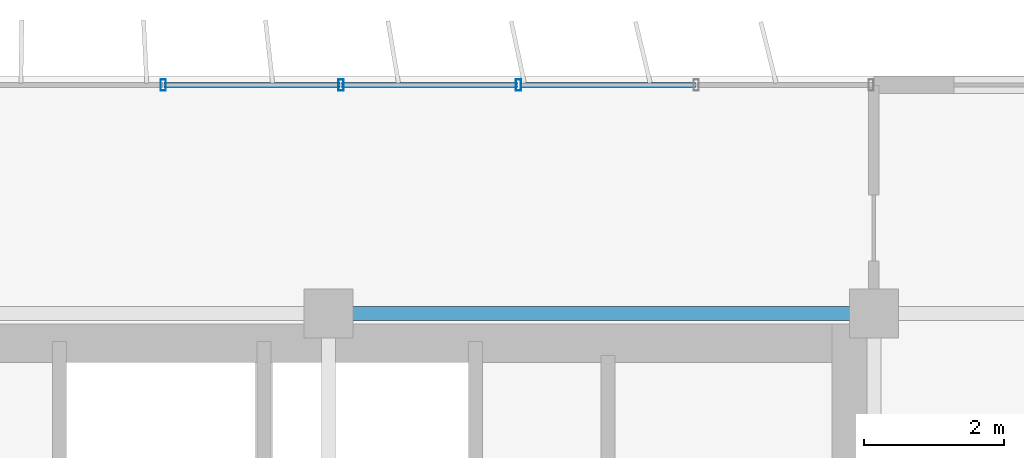
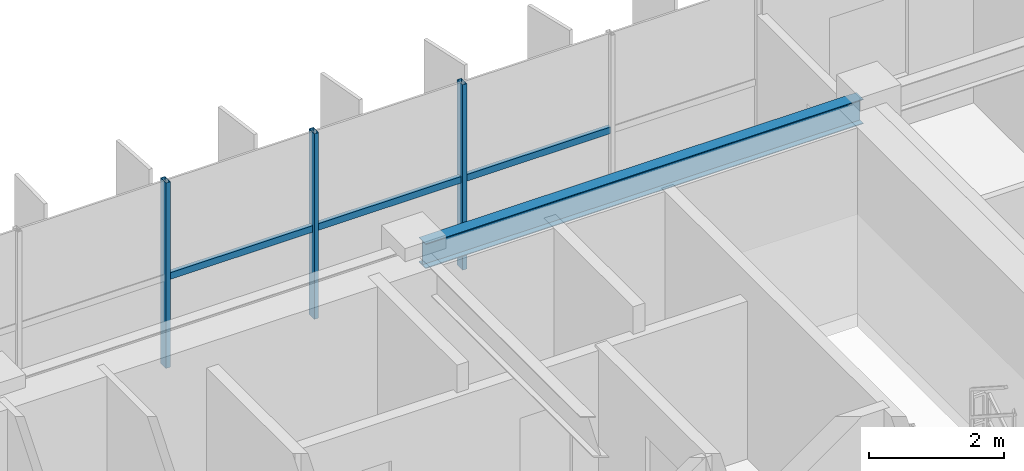
# One storey, part 12 of 23: 6 members, 1 beam, 1 element without a shape of its own.
"""IFC4 building model written with IfcOpenShell, lengths in metres."""

from ifc_helpers import new_model, si_unit, direction, frame, origin, origin_2d, place, context, subcontext, project, spatial, hollow_rectangle, i_section, extrude, source, transform, mapped, material, material_profile, profile_set, type_object, element, aggregate, save


model = new_model("IFC4")

# Units and contexts
model_context = context("Model", 3, precision=1e-05, world=origin(), true_north=direction((0.0, 1.0)))
body_context = subcontext(model_context, "Body", "Model", "MODEL_VIEW")
ifc_project = project(units=[si_unit("LENGTHUNIT", "METRE"), si_unit("AREAUNIT", "SQUARE_METRE"), si_unit("VOLUMEUNIT", "CUBIC_METRE"), si_unit("PLANEANGLEUNIT", "RADIAN"), si_unit("MASSUNIT", "GRAM", prefix="KILO")], contexts=[model_context])

# Site, building, storey
site_placement = place(None, origin())
site = spatial("IfcSite", under=ifc_project, at=site_placement, CompositionType="ELEMENT")
building_placement = place(site_placement, origin())
building = spatial("IfcBuilding", under=site, at=building_placement, Name="Trelvane Seafront Commons", CompositionType="ELEMENT")
storey_placement = place(building_placement, frame((0.0, 0.0, 212.10009765625)))
storey = spatial("IfcBuildingStorey", under=building, at=storey_placement, Name="L55", CompositionType="ELEMENT", Elevation=212.10009765625)

# Beam
ifc_material_1 = material(Name="Steel SM355 (S355)", Category="steel")
ifc_material_profile_1 = material_profile(ifc_material_1, i_section(OverallWidth=0.199951171875, OverallDepth=0.449951171875, WebThickness=0.009033203125, FlangeThickness=0.013916015625, at=origin_2d()), Name="H-450x200x9x14")
ifc_profile_set_1 = profile_set([ifc_material_profile_1], Name="Steel SM355 (S355)")
beam_type = type_object("IfcBeamType", Name="STR-SPD-H450", PredefinedType="SPANDREL", material=ifc_profile_set_1)
shared_shape_1 = source(origin(), body_context, "Body", "SweptSolid", [
    extrude(i_section(OverallWidth=0.199951171875, OverallDepth=0.449951171875, WebThickness=0.009033203125, FlangeThickness=0.013916015625, at=origin_2d()), origin(), (0.0, 0.0, 1.0), 7.5),
])
beam_placement = place(storey_placement, frame((51.14990234375, 45.10009765625, 3.135009765625), z_axis=(1.0, 0.0, 0.0), x_axis=(0.0, 1.0, 0.0)))
element("IfcBeam", 1, at=beam_placement, inside=storey, type_object=beam_type, Name="L55 Primary Girder G-27", PredefinedType="SPANDREL", context=body_context, shape_type="MappedRepresentation", body=[
    mapped(shared_shape_1, transform((0.0, 0.0, 0.0), x_axis=(1.0, 0.0, 0.0), y_axis=(0.0, 1.0, 0.0), z_axis=(0.0, 0.0, 1.0), scale=1.0)),
])

# Curtain wall, members
ifc_material_2 = material(Name="Anodised pale-silver aluminium", Category="aluminium")
curtain_wall_type = type_object("IfcCurtainWallType", Name="ARCH-CW5-UPTOWER", PredefinedType="NOTDEFINED", material=ifc_material_2)
curtain_wall_placement = place(storey_placement, origin())
curtain_wall = element("IfcCurtainWall", 2, at=curtain_wall_placement, inside=storey, type_object=curtain_wall_type, Name="CW-L55-0098", PredefinedType="NOTDEFINED")
ifc_material_profile_2 = material_profile(ifc_material_2, hollow_rectangle(XDim=0.070068359375, YDim=0.1201171875, WallThickness=0.00390625, at=origin_2d()), Name="TRAN-70x120x4")
ifc_profile_set_2 = profile_set([ifc_material_profile_2], Name="Anodised pale-silver aluminium")
member_type_1 = type_object("IfcMemberType", Name="ARCH-CW-TRAN-120", PredefinedType="USERDEFINED", material=ifc_profile_set_2)
shared_shape_2 = source(origin(), body_context, "Body", "SweptSolid", [
    extrude(hollow_rectangle(XDim=0.070068359375, YDim=0.1201171875, WallThickness=0.00390625, at=origin_2d()), origin(), (0.0, 0.0, 1.0), 2.51708984375),
])
member_1_placement = place(storey_placement, frame((51.1884765625, 48.3701171875, 1.61279296875), z_axis=(1.0, 0.0, 0.0), x_axis=(0.0, 1.0, 0.0)))
member_1 = element("IfcMember", 3, at=member_1_placement, type_object=member_type_1, Name="CW-L55-0098-T14", ObjectType="TRANSOM", PredefinedType="USERDEFINED", context=body_context, shape_type="MappedRepresentation", body=[
    mapped(shared_shape_2, transform((0.0, 0.0, 0.0), x_axis=(1.0, 0.0, 0.0), y_axis=(0.0, 1.0, 0.0), z_axis=(0.0, 0.0, 1.0), scale=1.0)),
])
shared_shape_3 = source(origin(), body_context, "Body", "SweptSolid", [
    extrude(hollow_rectangle(XDim=0.070068359375, YDim=0.1201171875, WallThickness=0.00390625, at=origin_2d()), origin(), (0.0, 0.0, 1.0), 2.517333984375),
])
member_2_placement = place(storey_placement, frame((48.647216796875, 48.3701171875, 1.61279296875), z_axis=(1.0, 0.0, 0.0), x_axis=(0.0, 1.0, 0.0)))
member_2 = element("IfcMember", 4, at=member_2_placement, type_object=member_type_1, Name="CW-L55-0098-T13", ObjectType="TRANSOM", PredefinedType="USERDEFINED", context=body_context, shape_type="MappedRepresentation", body=[
    mapped(shared_shape_3, transform((0.0, 0.0, 0.0), x_axis=(1.0, 0.0, 0.0), y_axis=(0.0, 1.0, 0.0), z_axis=(0.0, 0.0, 1.0), scale=1.0)),
])
member_3_placement = place(storey_placement, frame((53.7294921875, 48.3701171875, 1.61279296875), z_axis=(1.0, 0.0, 0.0), x_axis=(0.0, 1.0, 0.0)))
member_3 = element("IfcMember", 5, at=member_3_placement, type_object=member_type_1, Name="CW-L55-0098-T15", ObjectType="TRANSOM", PredefinedType="USERDEFINED", context=body_context, shape_type="MappedRepresentation", body=[
    mapped(shared_shape_3, transform((0.0, 0.0, 0.0), x_axis=(1.0, 0.0, 0.0), y_axis=(0.0, 1.0, 0.0), z_axis=(0.0, 0.0, 1.0), scale=1.0)),
])
ifc_material_profile_3 = material_profile(ifc_material_2, hollow_rectangle(XDim=0.074951171875, YDim=0.159912109375, WallThickness=0.00390625, at=origin_2d()), Name="MULL-75x160x4")
ifc_profile_set_3 = profile_set([ifc_material_profile_3], Name="Anodised pale-silver aluminium")
member_type_2 = type_object("IfcMemberType", Name="ARCH-CW-MULL-160", PredefinedType="MULLION", material=ifc_profile_set_3)
shared_shape_4 = source(origin(), body_context, "Body", "SweptSolid", [
    extrude(hollow_rectangle(XDim=0.074951171875, YDim=0.159912109375, WallThickness=0.00390625, at=origin_2d()), origin(), (0.0, 0.0, 1.0), 3.35986328125),
])
member_4_placement = place(storey_placement, frame((48.63525390625, 48.3701171875, 0.0), z_axis=(0.0, 0.0, 1.0), x_axis=(1.0, 0.0, 0.0)))
member_4 = element("IfcMember", 6, at=member_4_placement, type_object=member_type_2, Name="CW-L55-0098-M13", PredefinedType="MULLION", context=body_context, shape_type="MappedRepresentation", body=[
    mapped(shared_shape_4, transform((0.0, 0.0, 0.0), x_axis=(1.0, 0.0, 0.0), y_axis=(0.0, 1.0, 0.0), z_axis=(0.0, 0.0, 1.0), scale=1.0)),
])
member_5_placement = place(storey_placement, frame((51.176513671875, 48.3701171875, 0.0), z_axis=(0.0, 0.0, 1.0), x_axis=(1.0, 0.0, 0.0)))
member_5 = element("IfcMember", 7, at=member_5_placement, type_object=member_type_2, Name="CW-L55-0098-M14", PredefinedType="MULLION", context=body_context, shape_type="MappedRepresentation", body=[
    mapped(shared_shape_4, transform((0.0, 0.0, 0.0), x_axis=(1.0, 0.0, 0.0), y_axis=(0.0, 1.0, 0.0), z_axis=(0.0, 0.0, 1.0), scale=1.0)),
])
member_6_placement = place(storey_placement, frame((53.717529296875, 48.3701171875, 0.0), z_axis=(0.0, 0.0, 1.0), x_axis=(1.0, 0.0, 0.0)))
member_6 = element("IfcMember", 8, at=member_6_placement, type_object=member_type_2, Name="CW-L55-0098-M15", PredefinedType="MULLION", context=body_context, shape_type="MappedRepresentation", body=[
    mapped(shared_shape_4, transform((0.0, 0.0, 0.0), x_axis=(1.0, 0.0, 0.0), y_axis=(0.0, 1.0, 0.0), z_axis=(0.0, 0.0, 1.0), scale=1.0)),
])
aggregate(curtain_wall, [member_4, member_5, member_6, member_2, member_1, member_3])

save(model, "model.ifc")
